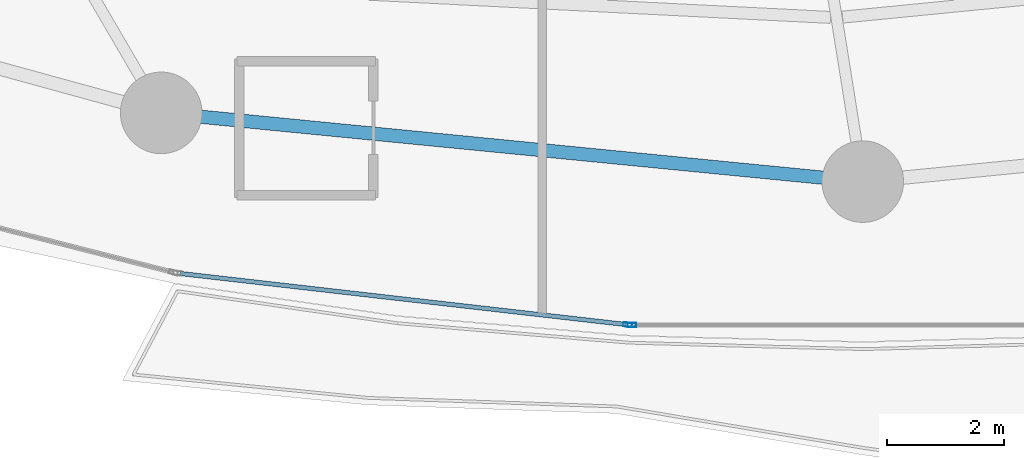
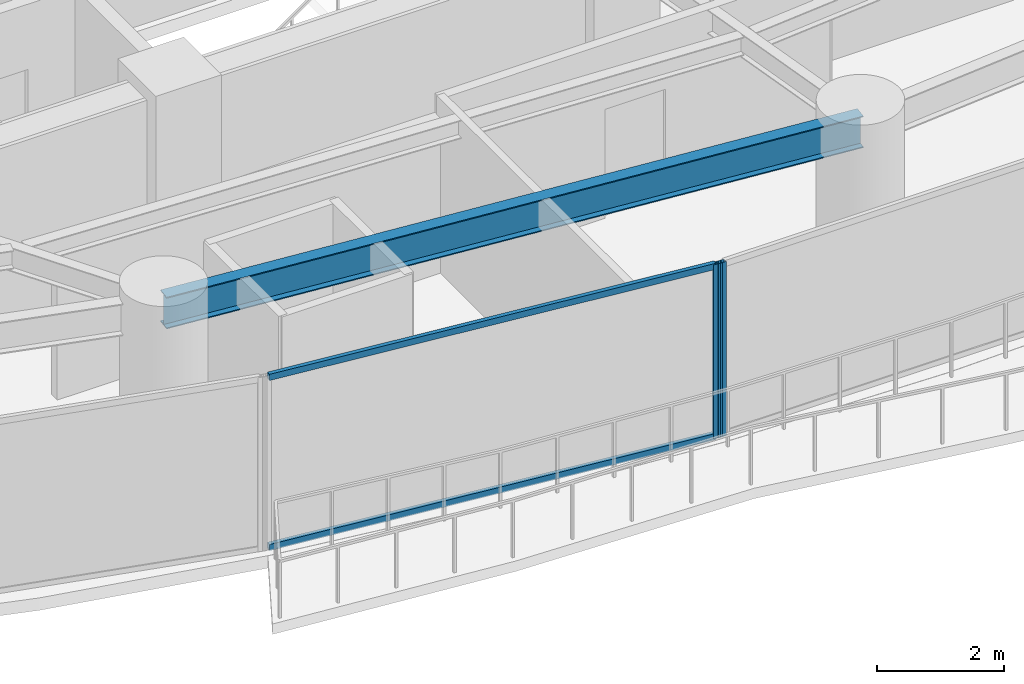
# One storey, part 6 of 34: 4 members, 1 beam, 2 elements without a shape of their own.
"""IFC4 building model written with IfcOpenShell, lengths in metres."""

from ifc_helpers import new_model, si_unit, direction, frame, origin, origin_2d, place, context, subcontext, project, spatial, hollow_rectangle, i_section, extrude, material, layer, layer_set, material_profile, profile_set, type_object, element, aggregate, save


model = new_model("IFC4")

# Units and contexts
model_context = context("Model", 3, precision=1e-05, world=origin(), true_north=direction((0.0, 1.0)))
body_context = subcontext(model_context, "Body", "Model", "MODEL_VIEW")
ifc_project = project(units=[si_unit("LENGTHUNIT", "METRE"), si_unit("AREAUNIT", "SQUARE_METRE"), si_unit("VOLUMEUNIT", "CUBIC_METRE"), si_unit("PLANEANGLEUNIT", "RADIAN"), si_unit("MASSUNIT", "GRAM", prefix="KILO")], contexts=[model_context])

# Site, building, storey
site_placement = place(None, origin())
site = spatial("IfcSite", under=ifc_project, at=site_placement, CompositionType="ELEMENT")
building_placement = place(site_placement, origin())
building = spatial("IfcBuilding", under=site, at=building_placement, Name="Kazevale Care Tower and Concert Hall", CompositionType="ELEMENT")
storey_placement = place(building_placement, frame((0.0, 0.0, 67.199951171875)))
storey = spatial("IfcBuildingStorey", under=building, at=storey_placement, Name="L17", CompositionType="ELEMENT", Elevation=67.199951171875)

# Curtain wall, member
ifc_material_1 = material(Name="Aluminium 6063-T6 and Low-E Glass", Category="aluminium")
ifc_layer = layer(ifc_material_1, 0.179931640625)
ifc_layer_set = layer_set([ifc_layer], Name="Aluminium 6063-T6 and Low-E Glass")
curtain_wall_type = type_object("IfcCurtainWallType", Name="Sheltered Concave Balcony Curtain Wall CW-5", PredefinedType="NOTDEFINED", material=ifc_layer_set)
curtain_wall_1_placement = place(storey_placement, origin())
curtain_wall_1 = element("IfcCurtainWall", 1, at=curtain_wall_1_placement, inside=storey, type_object=curtain_wall_type, Name="cw:L17:f06", PredefinedType="NOTDEFINED")
ifc_material_2 = material(Name="Aluminium 6063-T6", Category="aluminium")
ifc_material_profile_1 = material_profile(ifc_material_2, hollow_rectangle(XDim=0.074951171875, YDim=0.14990234375, WallThickness=0.00390625, at=origin_2d()), Name="ALU75x150x4")
ifc_profile_set_1 = profile_set([ifc_material_profile_1], Name="Aluminium 6063-T6")
member_type_1 = type_object("IfcMemberType", Name="CW-5 Mullion ALU75x150x4", PredefinedType="MULLION", material=ifc_profile_set_1)
member_1_placement = place(storey_placement, frame((41.03955078125, 14.889892578125, 0.0), z_axis=(0.0, 0.0, 1.0), x_axis=(0.0, -1.0, 0.0)))
member_1 = element("IfcMember", 2, at=member_1_placement, type_object=member_type_1, Name="CW-5 mullion 2", PredefinedType="MULLION", context=body_context, shape_type="SweptSolid", body=[
    extrude(hollow_rectangle(XDim=0.074951171875, YDim=0.14990234375, WallThickness=0.00390625, at=origin_2d()), origin(), (0.0, 0.0, 1.0), 3.360107421875),
])
aggregate(curtain_wall_1, [member_1])

# Curtain wall, members
curtain_wall_2_placement = place(storey_placement, origin())
curtain_wall_2 = element("IfcCurtainWall", 3, at=curtain_wall_2_placement, inside=storey, type_object=curtain_wall_type, Name="cw:L17:f07", PredefinedType="NOTDEFINED")
member_2_placement = place(storey_placement, frame((40.96484375, 14.894287109375, 0.0), z_axis=(0.0, 0.0, 1.0), x_axis=(-0.113704773808, -0.993514581883, 0.0)))
member_2 = element("IfcMember", 4, at=member_2_placement, type_object=member_type_1, Name="CW-5 mullion 1", PredefinedType="MULLION", context=body_context, shape_type="SweptSolid", body=[
    extrude(hollow_rectangle(XDim=0.074951171875, YDim=0.14990234375, WallThickness=0.00390625, at=origin_2d()), origin(), (0.0, 0.0, 1.0), 3.360107421875),
])
ifc_material_profile_2 = material_profile(ifc_material_2, hollow_rectangle(XDim=0.074951171875, YDim=0.1201171875, WallThickness=0.00390625, at=origin_2d()), Name="ALU75x120x4")
ifc_profile_set_2 = profile_set([ifc_material_profile_2], Name="Aluminium 6063-T6")
member_type_2 = type_object("IfcMemberType", Name="CW-5 Transom ALU75x120x4", PredefinedType="USERDEFINED", material=ifc_profile_set_2)
member_3_placement = place(storey_placement, frame((40.927490234375, 14.8984375, 0.03759765625), z_axis=(-0.993513842403, 0.113711234948, 0.0), x_axis=(-0.113711234948, -0.993513842403, 0.0)))
member_3 = element("IfcMember", 5, at=member_3_placement, type_object=member_type_2, Name="CW-5 transom 1.1", ObjectType="TRANSOM", PredefinedType="USERDEFINED", context=body_context, shape_type="SweptSolid", body=[
    extrude(hollow_rectangle(XDim=0.074951171875, YDim=0.1201171875, WallThickness=0.00390625, at=origin_2d()), origin(), (0.0, 0.0, 1.0), 7.69482421875),
])
member_4_placement = place(storey_placement, frame((40.927490234375, 14.8984375, 3.322509765625), z_axis=(-0.993513842403, 0.113711234948, 0.0), x_axis=(-0.113711234948, -0.993513842403, 0.0)))
member_4 = element("IfcMember", 6, at=member_4_placement, type_object=member_type_2, Name="CW-5 transom 1.2", ObjectType="TRANSOM", PredefinedType="USERDEFINED", context=body_context, shape_type="SweptSolid", body=[
    extrude(hollow_rectangle(XDim=0.074951171875, YDim=0.1201171875, WallThickness=0.00390625, at=origin_2d()), origin(), (0.0, 0.0, 1.0), 7.69482421875),
])
aggregate(curtain_wall_2, [member_2, member_3, member_4])

# Beam
ifc_material_3 = material(Name="Steel ASTM A572 Gr 50", Category="steel")
ifc_material_profile_3 = material_profile(ifc_material_3, i_section(OverallWidth=0.22900390625, OverallDepth=0.612060546875, WebThickness=0.011962890625, FlangeThickness=0.01953125, at=origin_2d()), Name="W610x125")
ifc_profile_set_3 = profile_set([ifc_material_profile_3], Name="Steel ASTM A572 Gr 50")
beam_type = type_object("IfcBeamType", Name="Ring Spandrel Beam W610x125", PredefinedType="SPANDREL", material=ifc_profile_set_3)
beam_placement = place(storey_placement, frame((32.9599609375, 18.530029296875, 3.053955078125), z_axis=(0.995232251602, -0.09753340644, 0.0), x_axis=(0.09753340644, 0.995232251602, 0.0)))
element("IfcBeam", 7, at=beam_placement, inside=storey, type_object=beam_type, Name="beam:L17:ring:12", PredefinedType="SPANDREL", context=body_context, shape_type="SweptSolid", body=[
    extrude(i_section(OverallWidth=0.22900390625, OverallDepth=0.612060546875, WebThickness=0.011962890625, FlangeThickness=0.01953125, at=origin_2d()), origin(), (0.0, 0.0, 1.0), 12.09765625),
])

save(model, "model.ifc")
